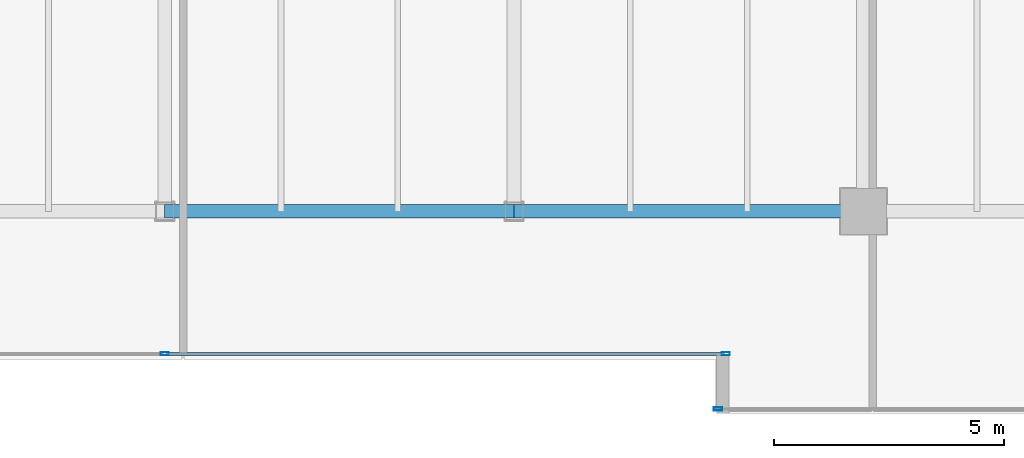
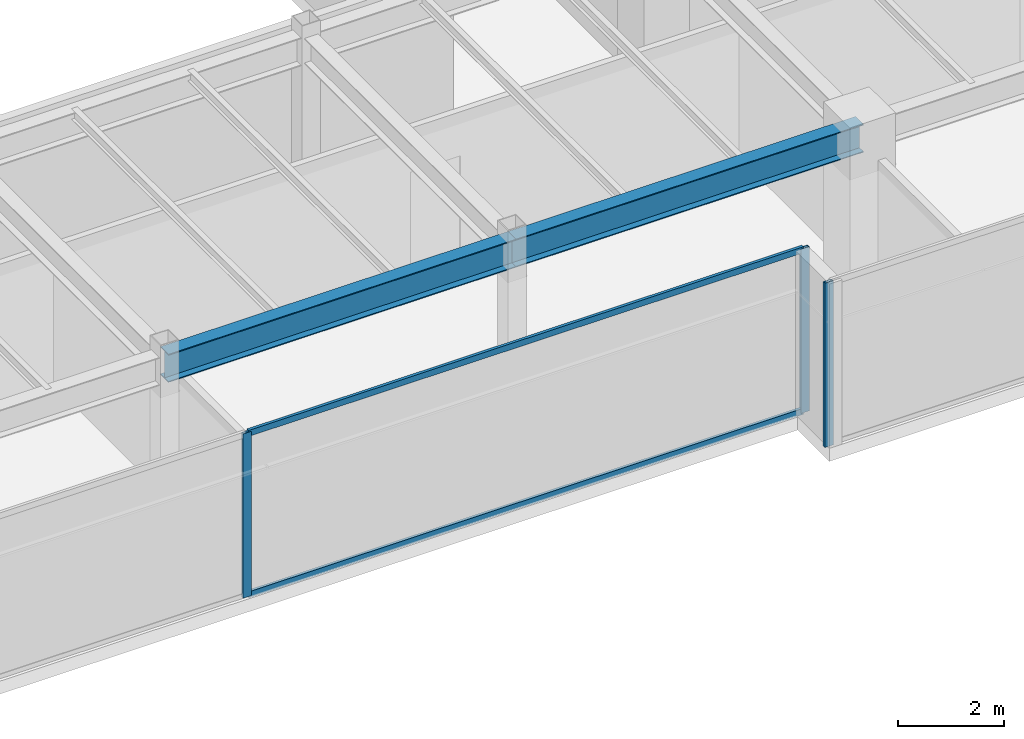
# One storey, part 11 of 36: 5 members, 2 beams, 2 elements without a shape of their own.
"""IFC4 building model written with IfcOpenShell, lengths in metres."""

from ifc_helpers import new_model, si_unit, direction, frame, origin, origin_2d, place, context, subcontext, project, spatial, hollow_rectangle, i_section, extrude, source, transform, mapped, material, layer, layer_set, material_profile, profile_set, type_object, type_shapes, element, aggregate, save


model = new_model("IFC4")

# Units and contexts
model_context = context("Model", 3, precision=1e-05, world=origin(), true_north=direction((0.0, 1.0)))
body_context = subcontext(model_context, "Body", "Model", "MODEL_VIEW")
ifc_project = project(units=[si_unit("LENGTHUNIT", "METRE"), si_unit("AREAUNIT", "SQUARE_METRE"), si_unit("VOLUMEUNIT", "CUBIC_METRE"), si_unit("PLANEANGLEUNIT", "RADIAN"), si_unit("MASSUNIT", "GRAM", prefix="KILO")], contexts=[model_context])

# Site, building, storey
site_placement = place(None, origin())
site = spatial("IfcSite", under=ifc_project, at=site_placement, CompositionType="ELEMENT")
building_placement = place(site_placement, origin())
building = spatial("IfcBuilding", under=site, at=building_placement, Name="Haelvirn Gate Laboratories", CompositionType="ELEMENT")
storey_placement = place(building_placement, frame((0.0, 0.0, 262.89990234375)))
storey = spatial("IfcBuildingStorey", under=building, at=storey_placement, Name="L63", CompositionType="ELEMENT", Elevation=262.89990234375)

# Beams
ifc_material_1 = material(Name="Steel SM355", Category="steel")
ifc_material_profile_1 = material_profile(ifc_material_1, i_section(OverallWidth=0.300048828125, OverallDepth=0.64990234375, WebThickness=0.012939453125, FlangeThickness=0.02197265625, at=origin_2d()), Name="H-650x300x13x22")
ifc_profile_set_1 = profile_set([ifc_material_profile_1], Name="Steel SM355")
beam_type = type_object("IfcBeamType", Name="BM-G-650", PredefinedType="BEAM", material=ifc_profile_set_1)
shared_shape_1 = source(origin(), body_context, "Body", "SweptSolid", [
    extrude(i_section(OverallWidth=0.300048828125, OverallDepth=0.64990234375, WebThickness=0.012939453125, FlangeThickness=0.02197265625, at=origin_2d()), origin(), (0.0, 0.0, 1.0), 7.60009765625),
])
type_shapes(beam_type, [shared_shape_1])
for number, where, z_axis, x_axis, name in (
    (1, (37.39990234375, 7.0, 3.47509765625), (1.0, 0.0, 0.0), (0.0, 1.0, 0.0), "L63 Primary Girder Y7.0 (37.4-45.0)"),
    (2, (45.0, 7.0, 3.47509765625), (1.0, 0.0, 0.0), (0.0, 1.0, 0.0), "L63 Primary Girder Y7.0 (45.0-52.6)"),
):
    element("IfcBeam", number, at=place(storey_placement, frame(where, z_axis=z_axis, x_axis=x_axis)), inside=storey, type_object=beam_type, Name=name, PredefinedType="BEAM", context=body_context, shape_type="MappedRepresentation", body=[
        mapped(shared_shape_1, transform((0.0, 0.0, 0.0), scale=1.0)),
    ])

# Curtain wall, members
ifc_material_2 = material(Name="Anodised bronze unitised aluminium & triple low-E glass", Category="aluminium")
ifc_layer = layer(ifc_material_2, 0.176025390625, Name="CW-SYS-4")
ifc_layer_set = layer_set([ifc_layer], Name="Anodised bronze unitised aluminium & triple low-E glass")
curtain_wall_type = type_object("IfcCurtainWallType", Name="CW-SYS-4", PredefinedType="NOTDEFINED", material=ifc_layer_set)
curtain_wall_1_placement = place(storey_placement, origin())
curtain_wall_1 = element("IfcCurtainWall", 3, at=curtain_wall_1_placement, inside=storey, type_object=curtain_wall_type, Name="L63 Unitised Curtain Wall CW-L63-P0-E02-1", PredefinedType="NOTDEFINED")
ifc_material_3 = material(Name="Extruded aluminium 6063-T6 (anodised bronze)", Category="aluminium")
ifc_material_profile_2 = material_profile(ifc_material_3, hollow_rectangle(XDim=0.06494140625, YDim=0.139892578125, WallThickness=0.00390625, at=origin_2d()), Name="CWT-140x65x4")
ifc_profile_set_2 = profile_set([ifc_material_profile_2], Name="Extruded aluminium 6063-T6 (anodised bronze)")
member_type_1 = type_object("IfcMemberType", Name="CWT-T140", PredefinedType="USERDEFINED", material=ifc_profile_set_2)
shared_shape_2 = source(origin(), body_context, "Body", "SweptSolid", [
    extrude(hollow_rectangle(XDim=0.06494140625, YDim=0.139892578125, WallThickness=0.00390625, at=origin_2d()), origin(), (0.0, 0.0, 1.0), 12.135009765625),
])
type_shapes(member_type_1, [shared_shape_2])
member_1_placement = place(storey_placement, frame((37.43505859375, 3.89990234375, 0.03271484375), z_axis=(1.0, 0.0, 0.0), x_axis=(0.0, 1.0, 0.0)))
member_1 = element("IfcMember", 4, at=member_1_placement, type_object=member_type_1, Name="CW4 transom 2.1", ObjectType="TRANSOM", PredefinedType="USERDEFINED", context=body_context, shape_type="MappedRepresentation", body=[
    mapped(shared_shape_2, transform((0.0, 0.0, 0.0), scale=1.0)),
])
member_2_placement = place(storey_placement, frame((37.43505859375, 3.89990234375, 3.767578125), z_axis=(1.0, 0.0, 0.0), x_axis=(0.0, 1.0, 0.0)))
member_2 = element("IfcMember", 5, at=member_2_placement, type_object=member_type_1, Name="CW4 transom 2.2", ObjectType="TRANSOM", PredefinedType="USERDEFINED", context=body_context, shape_type="MappedRepresentation", body=[
    mapped(shared_shape_2, transform((0.0, 0.0, 0.0), scale=1.0)),
])
ifc_material_profile_3 = material_profile(ifc_material_3, hollow_rectangle(XDim=0.070068359375, YDim=0.179931640625, WallThickness=0.0048828125, at=origin_2d()), Name="CWM-180x70x5")
ifc_profile_set_3 = profile_set([ifc_material_profile_3], Name="Extruded aluminium 6063-T6 (anodised bronze)")
member_type_2 = type_object("IfcMemberType", Name="CWM-T180", PredefinedType="MULLION", material=ifc_profile_set_3)
shared_shape_3 = source(origin(), body_context, "Body", "SweptSolid", [
    extrude(hollow_rectangle(XDim=0.070068359375, YDim=0.179931640625, WallThickness=0.0048828125, at=origin_2d()), origin(), (0.0, 0.0, 1.0), 3.800048828125),
])
type_shapes(member_type_2, [shared_shape_3])
member_3_placement = place(storey_placement, frame((37.39990234375, 3.89990234375, 0.0), z_axis=(0.0, 0.0, 1.0), x_axis=(0.0, 1.0, 0.0)))
member_3 = element("IfcMember", 6, at=member_3_placement, type_object=member_type_2, Name="CW4 mullion 2", PredefinedType="MULLION", context=body_context, shape_type="MappedRepresentation", body=[
    mapped(shared_shape_3, transform((0.0, 0.0, 0.0), scale=1.0)),
])
member_4_placement = place(storey_placement, frame((49.60498046875, 3.89990234375, 0.0), z_axis=(0.0, 0.0, 1.0), x_axis=(0.0, 1.0, 0.0)))
member_4 = element("IfcMember", 7, at=member_4_placement, type_object=member_type_2, Name="CW4 mullion 3", PredefinedType="MULLION", context=body_context, shape_type="MappedRepresentation", body=[
    mapped(shared_shape_3, transform((0.0, 0.0, 0.0), scale=1.0)),
])
aggregate(curtain_wall_1, [member_3, member_4, member_1, member_2])

# Curtain wall, member
curtain_wall_2_placement = place(storey_placement, origin())
curtain_wall_2 = element("IfcCurtainWall", 8, at=curtain_wall_2_placement, inside=storey, type_object=curtain_wall_type, Name="L63 Unitised Curtain Wall CW-L63-P0-E04-1", PredefinedType="NOTDEFINED")
member_5_placement = place(storey_placement, frame((49.43505859375, 2.699951171875, 0.0), z_axis=(0.0, 0.0, 1.0), x_axis=(0.0, 1.0, 0.0)))
member_5 = element("IfcMember", 9, at=member_5_placement, type_object=member_type_2, Name="CW4 mullion 1", PredefinedType="MULLION", context=body_context, shape_type="MappedRepresentation", body=[
    mapped(shared_shape_3, transform((0.0, 0.0, 0.0), scale=1.0)),
])
aggregate(curtain_wall_2, [member_5])

save(model, "model.ifc")
